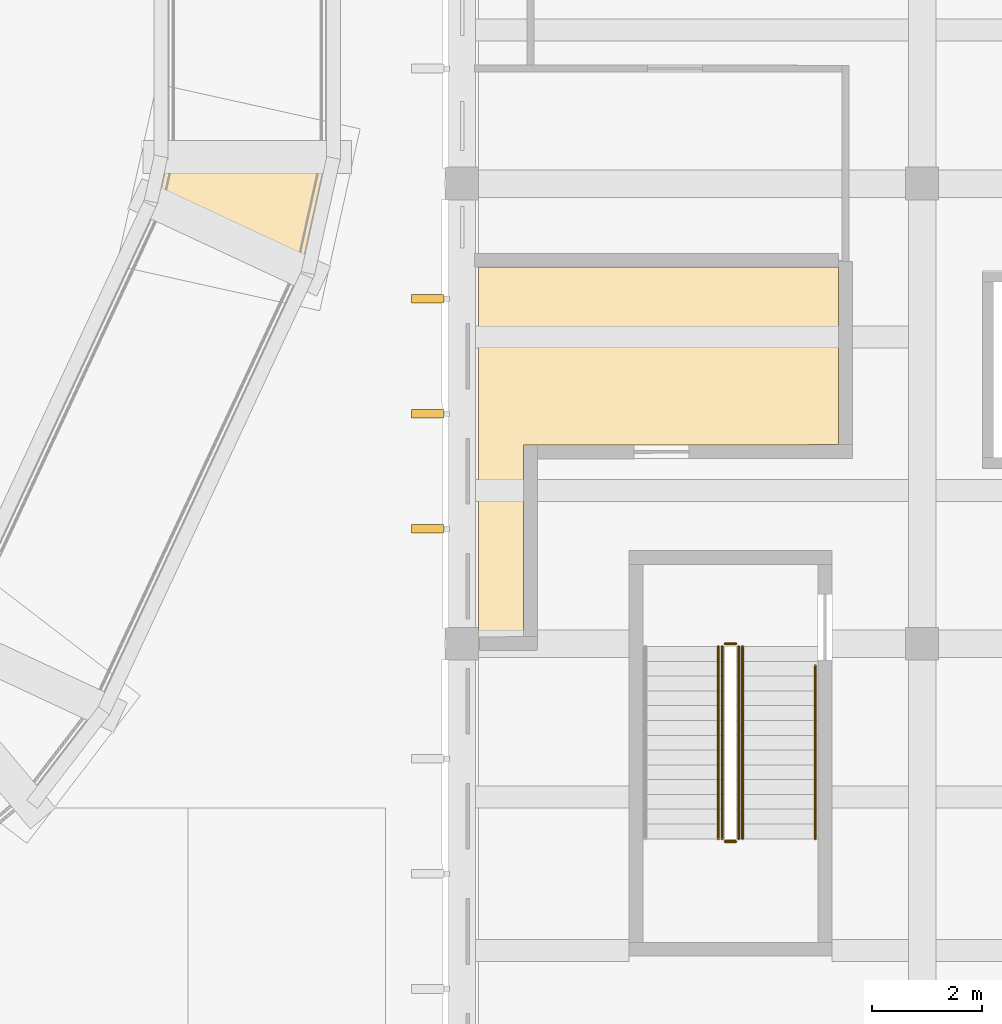
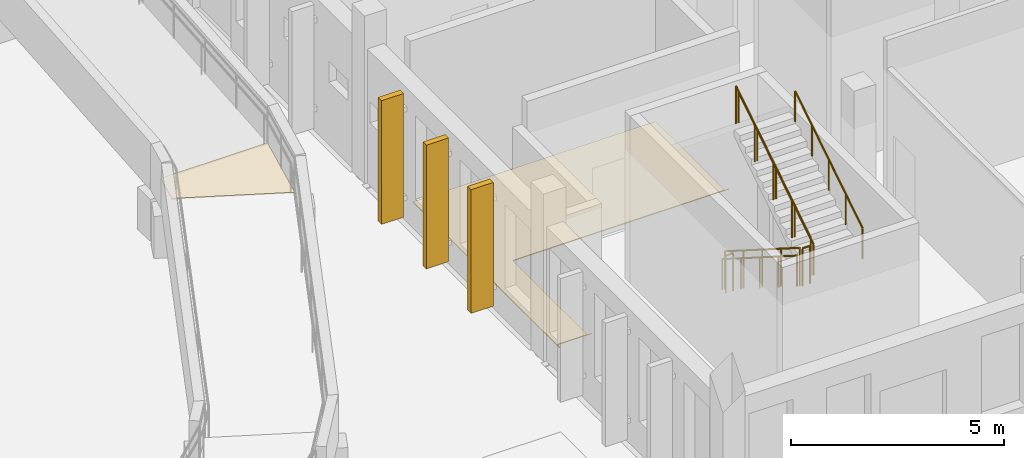
# One storey, part 86 of 110: 7 railings, 5 coverings.
"""IFC4 building model written with IfcOpenShell, lengths in metres."""

from ifc_helpers import new_model, si_unit, direction, frame, origin, origin_2d, place, context, subcontext, project, spatial, polyline, circle, outline, extrude, material, layer, layer_set, type_object, element, save


model = new_model("IFC4")

# Units and contexts
model_context = context("Model", 3, precision=1e-05, world=origin(), true_north=direction((0.0, 1.0)))
body_context = subcontext(model_context, "Body", "Model", "MODEL_VIEW")
ifc_project = project(units=[si_unit("LENGTHUNIT", "METRE"), si_unit("AREAUNIT", "SQUARE_METRE"), si_unit("VOLUMEUNIT", "CUBIC_METRE"), si_unit("PLANEANGLEUNIT", "RADIAN"), si_unit("MASSUNIT", "GRAM", prefix="KILO")], contexts=[model_context])

# Site, building, storey
site_placement = place(None, origin())
site = spatial("IfcSite", under=ifc_project, at=site_placement, CompositionType="ELEMENT")
building_placement = place(site_placement, origin())
building = spatial("IfcBuilding", under=site, at=building_placement, Name="Larchfold Concert Hall", CompositionType="ELEMENT")
storey_placement = place(building_placement, origin())
storey = spatial("IfcBuildingStorey", under=building, at=storey_placement, Name="L00", CompositionType="ELEMENT", Elevation=0.0)

# Coverings
ifc_material_1 = material(Name="Oak boards on battens")
ifc_layer_1 = layer(ifc_material_1, 0.02490234375)
ifc_layer_set_1 = layer_set([ifc_layer_1], Name="Oak boards on battens")
covering_type_1 = type_object("IfcCoveringType", Name="Floor finish timber boards 25", PredefinedType="FLOORING", material=ifc_layer_set_1)
covering_1_placement = place(storey_placement, origin())
element("IfcCovering", 1, at=covering_1_placement, inside=storey, type_object=covering_type_1, Name="Floor finish Stage Door Office", PredefinedType="FLOORING", context=body_context, shape_type="SweptSolid", body=[
    extrude(outline(polyline([(84.920166015625, 9.0), (84.91943359375, 9.125244140625), (85.849853515625, 9.131103515625), (85.72509765625, 9.131103515625), (85.72607421875, 12.6240234375), (91.58251953125, 12.634033203125), (91.47607421875, 12.634033203125), (91.47509765625, 15.97998046875), (91.47509765625, 15.875), (84.900146484375, 15.875), (84.900146484375, 9.0), (84.920166015625, 9.0)])), origin(), (0.0, 0.0, 1.0), 0.02490234375),
])
ifc_material_2 = material(Name="Glulam GL30c", Category="wood")
ifc_layer_2 = layer(ifc_material_2, 0.159912109375)
ifc_layer_set_2 = layer_set([ifc_layer_2], Name="Glulam GL30c")
covering_type_2 = type_object("IfcCoveringType", Name="Glulam fin 160x600", PredefinedType="CLADDING", material=ifc_layer_set_2)
covering_2_placement = place(storey_placement, frame((0.0, 0.0, 0.199951171875)))
element("IfcCovering", 2, at=covering_2_placement, inside=storey, type_object=covering_type_2, Name="Glulam fin FN-L00-046", PredefinedType="CLADDING", context=body_context, shape_type="SweptSolid", body=[
    extrude(outline(polyline([(84.275146484375, 11.02001953125), (84.275146484375, 11.179931640625), (83.675048828125, 11.179931640625), (83.675048828125, 11.02001953125), (84.275146484375, 11.02001953125)])), origin(), (0.0, 0.0, 1.0), 3.5400390625),
])
covering_3_placement = place(storey_placement, frame((0.0, 0.0, 0.199951171875)))
element("IfcCovering", 3, at=covering_3_placement, inside=storey, type_object=covering_type_2, Name="Glulam fin FN-L00-047", PredefinedType="CLADDING", context=body_context, shape_type="SweptSolid", body=[
    extrude(outline(polyline([(84.275146484375, 13.1201171875), (84.275146484375, 13.280029296875), (83.675048828125, 13.280029296875), (83.675048828125, 13.1201171875), (84.275146484375, 13.1201171875)])), origin(), (0.0, 0.0, 1.0), 3.5400390625),
])
covering_4_placement = place(storey_placement, frame((0.0, 0.0, 0.199951171875)))
element("IfcCovering", 4, at=covering_4_placement, inside=storey, type_object=covering_type_2, Name="Glulam fin FN-L00-048", PredefinedType="CLADDING", context=body_context, shape_type="SweptSolid", body=[
    extrude(outline(polyline([(84.275146484375, 15.219970703125), (84.275146484375, 15.3798828125), (83.675048828125, 15.3798828125), (83.675048828125, 15.219970703125), (84.275146484375, 15.219970703125)])), origin(), (0.0, 0.0, 1.0), 3.5400390625),
])
ifc_material_3 = material(Name="Non-slip broom-finished concrete topping", Category="concrete")
ifc_layer_3 = layer(ifc_material_3, 0.030029296875)
ifc_layer_set_3 = layer_set([ifc_layer_3], Name="Non-slip broom-finished concrete topping")
covering_type_3 = type_object("IfcCoveringType", Name="Ramp surface non-slip 30", PredefinedType="FLOORING", material=ifc_layer_set_3)
covering_5_placement = place(storey_placement, frame((79.040283203125, 17.031005859375, 1.469970703125), z_axis=(0.0, 0.0, 1.0), x_axis=(0.216308204627, 0.976325130585, 0.0)))
element("IfcCovering", 5, at=covering_5_placement, inside=storey, type_object=covering_type_3, Name="Ramp surface RL02", PredefinedType="FLOORING", context=body_context, shape_type="SweptSolid", body=[
    extrude(outline(polyline([(0.0, 0.0), (0.8724620661099498, 0.0), (1.4997347356787916, -2.8312475344446173), (-0.6280747882643035, -2.8310564496996036), (0.0, 0.0)])), origin(), (0.0, 0.0, -1.0), 0.030029296875),
])

# Railings
ifc_material_4 = material(Name="Stainless steel balustrade", Category="steel")
railing_type_1 = type_object("IfcRailingType", Name="Stair guard 1100", PredefinedType="GUARDRAIL", material=ifc_material_4)
railing_1_placement = place(storey_placement, frame((89.349853515625, 8.949951171875, 0.17138671875)))
element("IfcRailing", 6, at=railing_1_placement, inside=storey, type_object=railing_type_1, Name="Guard GR0053", PredefinedType="GUARDRAIL", context=body_context, shape_type="SweptSolid", body=[
    extrude(circle(Radius=0.02392578125, at=origin_2d()), frame((0.0, 0.0, 1.076171875), z_axis=(0.0, -0.844219563411, 0.53599750816), x_axis=(1.0, 0.0, 0.0)), (0.0, 0.0, 1.0), 4.15771484375),
    extrude(circle(Radius=0.02099609375, at=origin_2d()), origin(), (0.0, 0.0, 1.0), 1.052001953125),
    extrude(circle(Radius=0.02099609375, at=origin_2d()), frame((0.0, -0.87744140625, 0.55712890625)), (0.0, 0.0, 1.0), 1.052001953125),
    extrude(circle(Radius=0.02099609375, at=origin_2d()), frame((0.0, -1.7548828125, 1.1142578125)), (0.0, 0.0, 1.0), 1.052001953125),
    extrude(circle(Radius=0.02099609375, at=origin_2d()), frame((0.0, -2.632568359375, 1.67138671875)), (0.0, 0.0, 1.0), 1.052001953125),
    extrude(circle(Radius=0.02099609375, at=origin_2d()), frame((0.0, -3.510009765625, 2.228515625)), (0.0, 0.0, 1.0), 1.052001953125),
])
railing_2_placement = place(storey_placement, frame((89.39990234375, 5.389892578125, 2.39990234375)))
element("IfcRailing", 7, at=railing_2_placement, inside=storey, type_object=railing_type_1, Name="Guard GR0054", PredefinedType="GUARDRAIL", context=body_context, shape_type="SweptSolid", body=[
    extrude(circle(Radius=0.02392578125, at=origin_2d()), frame((0.0, 0.0, 1.076171875), z_axis=(1.0, 0.0, 0.0), x_axis=(0.0, 1.0, 0.0)), (0.0, 0.0, 1.0), 0.199951171875),
    extrude(circle(Radius=0.02099609375, at=origin_2d()), origin(), (0.0, 0.0, 1.0), 1.052001953125),
    extrude(circle(Radius=0.02099609375, at=origin_2d()), frame((0.199951171875, 0.0, 0.0)), (0.0, 0.0, 1.0), 1.052001953125),
])
railing_3_placement = place(storey_placement, frame((89.64990234375, 5.43994140625, 2.571533203125)))
element("IfcRailing", 8, at=railing_3_placement, inside=storey, type_object=railing_type_1, Name="Guard GR0055", PredefinedType="GUARDRAIL", context=body_context, shape_type="SweptSolid", body=[
    extrude(circle(Radius=0.02392578125, at=origin_2d()), frame((0.0, 0.0, 1.076171875), z_axis=(0.0, 0.844219563411, 0.53599750816), x_axis=(-1.0, 0.0, 0.0)), (0.0, 0.0, 1.0), 4.15771484375),
    extrude(circle(Radius=0.02099609375, at=origin_2d()), origin(), (0.0, 0.0, 1.0), 1.052001953125),
    extrude(circle(Radius=0.02099609375, at=origin_2d()), frame((0.0, 0.87744140625, 0.55712890625)), (0.0, 0.0, 1.0), 1.052001953125),
    extrude(circle(Radius=0.02099609375, at=origin_2d()), frame((0.0, 1.7548828125, 1.1142578125)), (0.0, 0.0, 1.0), 1.052001953125),
    extrude(circle(Radius=0.02099609375, at=origin_2d()), frame((0.0, 2.632568359375, 1.67138671875)), (0.0, 0.0, 1.0), 1.052001953125),
    extrude(circle(Radius=0.02099609375, at=origin_2d()), frame((0.0, 3.510009765625, 2.228515625)), (0.0, 0.0, 1.0), 1.052001953125),
])
railing_4_placement = place(storey_placement, frame((89.39990234375, 9.0, 0.0)))
element("IfcRailing", 9, at=railing_4_placement, inside=storey, type_object=railing_type_1, Name="Guard GR0056", PredefinedType="GUARDRAIL", context=body_context, shape_type="SweptSolid", body=[
    extrude(circle(Radius=0.02392578125, at=origin_2d()), frame((0.0, 0.0, 1.076171875), z_axis=(1.0, 0.0, 0.0), x_axis=(0.0, 1.0, 0.0)), (0.0, 0.0, 1.0), 0.199951171875),
    extrude(circle(Radius=0.02099609375, at=origin_2d()), origin(), (0.0, 0.0, 1.0), 1.052001953125),
    extrude(circle(Radius=0.02099609375, at=origin_2d()), frame((0.199951171875, 0.0, 0.0)), (0.0, 0.0, 1.0), 1.052001953125),
])
ifc_material_5 = material(Name="Stainless steel handrail", Category="steel")
railing_type_2 = type_object("IfcRailingType", Name="Stair handrail 900", PredefinedType="HANDRAIL", material=ifc_material_5)
railing_5_placement = place(storey_placement, frame((91.0498046875, 5.43994140625, 2.571533203125)))
element("IfcRailing", 10, at=railing_5_placement, inside=storey, type_object=railing_type_2, Name="Handrail HR0050", PredefinedType="HANDRAIL", context=body_context, shape_type="SweptSolid", body=[
    extrude(circle(Radius=0.02392578125, at=origin_2d()), frame((0.0, 0.0, 0.8759765625), z_axis=(0.0, 0.844224994989, 0.535988953092), x_axis=(-1.0, 0.0, 0.0)), (0.0, 0.0, 1.0), 3.7431640625),
    extrude(circle(Radius=0.02099609375, at=origin_2d()), origin(), (0.0, 0.0, 1.0), 0.851806640625),
    extrude(circle(Radius=0.02099609375, at=origin_2d()), frame((0.0, 0.7900390625, 0.50146484375)), (0.0, 0.0, 1.0), 0.851806640625),
    extrude(circle(Radius=0.02099609375, at=origin_2d()), frame((0.0, 1.580078125, 1.003173828125)), (0.0, 0.0, 1.0), 0.851806640625),
    extrude(circle(Radius=0.02099609375, at=origin_2d()), frame((0.0, 2.3701171875, 1.5048828125)), (0.0, 0.0, 1.0), 0.851806640625),
    extrude(circle(Radius=0.02099609375, at=origin_2d()), frame((0.0, 3.16015625, 2.00634765625)), (0.0, 0.0, 1.0), 0.851806640625),
])
railing_6_placement = place(storey_placement, frame((89.27978515625, 8.949951171875, 0.17138671875)))
element("IfcRailing", 11, at=railing_6_placement, inside=storey, type_object=railing_type_2, Name="Handrail HR0051", PredefinedType="HANDRAIL", context=body_context, shape_type="SweptSolid", body=[
    extrude(circle(Radius=0.02392578125, at=origin_2d()), frame((0.0, 0.0, 0.8759765625), z_axis=(0.0, -0.844219563411, 0.53599750816), x_axis=(1.0, 0.0, 0.0)), (0.0, 0.0, 1.0), 4.15771484375),
    extrude(circle(Radius=0.02099609375, at=origin_2d()), origin(), (0.0, 0.0, 1.0), 0.851806640625),
    extrude(circle(Radius=0.02099609375, at=origin_2d()), frame((0.0, -0.87744140625, 0.55712890625)), (0.0, 0.0, 1.0), 0.851806640625),
    extrude(circle(Radius=0.02099609375, at=origin_2d()), frame((0.0, -1.7548828125, 1.1142578125)), (0.0, 0.0, 1.0), 0.851806640625),
    extrude(circle(Radius=0.02099609375, at=origin_2d()), frame((0.0, -2.632568359375, 1.67138671875)), (0.0, 0.0, 1.0), 0.851806640625),
    extrude(circle(Radius=0.02099609375, at=origin_2d()), frame((0.0, -3.510009765625, 2.228515625)), (0.0, 0.0, 1.0), 0.851806640625),
])
railing_7_placement = place(storey_placement, frame((89.719970703125, 5.43994140625, 2.571533203125)))
element("IfcRailing", 12, at=railing_7_placement, inside=storey, type_object=railing_type_2, Name="Handrail HR0052", PredefinedType="HANDRAIL", context=body_context, shape_type="SweptSolid", body=[
    extrude(circle(Radius=0.02392578125, at=origin_2d()), frame((0.0, 0.0, 0.8759765625), z_axis=(0.0, 0.844219563411, 0.53599750816), x_axis=(-1.0, 0.0, 0.0)), (0.0, 0.0, 1.0), 4.15771484375),
    extrude(circle(Radius=0.02099609375, at=origin_2d()), origin(), (0.0, 0.0, 1.0), 0.851806640625),
    extrude(circle(Radius=0.02099609375, at=origin_2d()), frame((0.0, 0.87744140625, 0.55712890625)), (0.0, 0.0, 1.0), 0.851806640625),
    extrude(circle(Radius=0.02099609375, at=origin_2d()), frame((0.0, 1.7548828125, 1.1142578125)), (0.0, 0.0, 1.0), 0.851806640625),
    extrude(circle(Radius=0.02099609375, at=origin_2d()), frame((0.0, 2.632568359375, 1.67138671875)), (0.0, 0.0, 1.0), 0.851806640625),
    extrude(circle(Radius=0.02099609375, at=origin_2d()), frame((0.0, 3.510009765625, 2.228515625)), (0.0, 0.0, 1.0), 0.851806640625),
])

save(model, "model.ifc")
